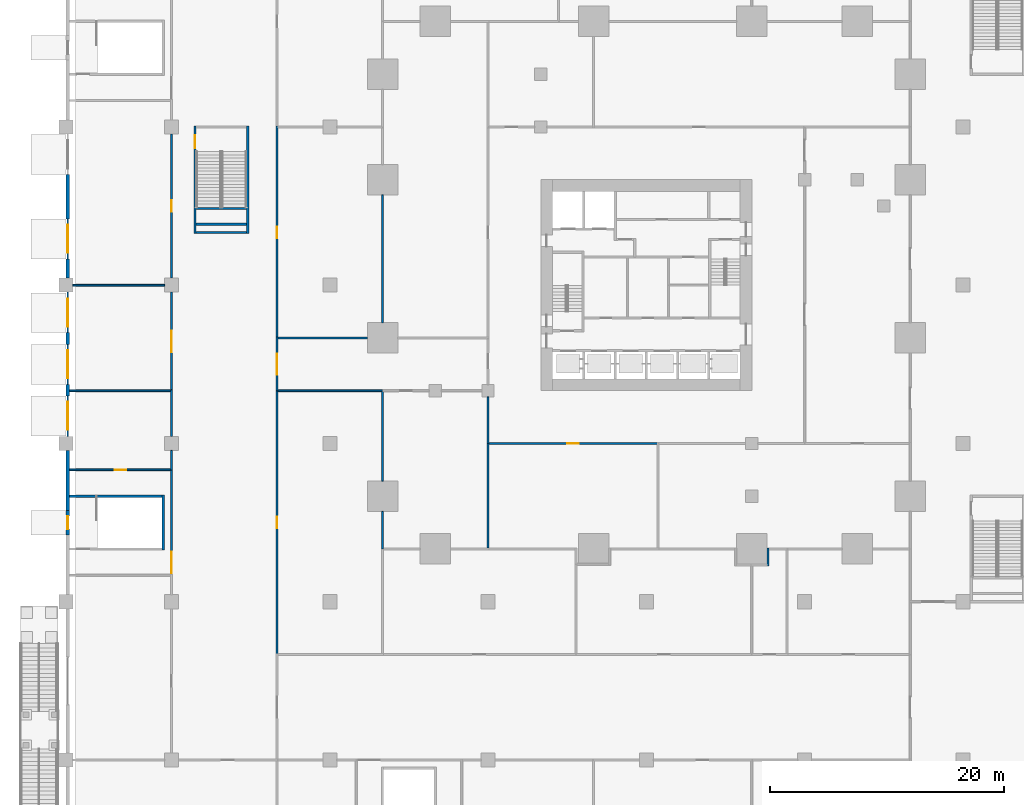
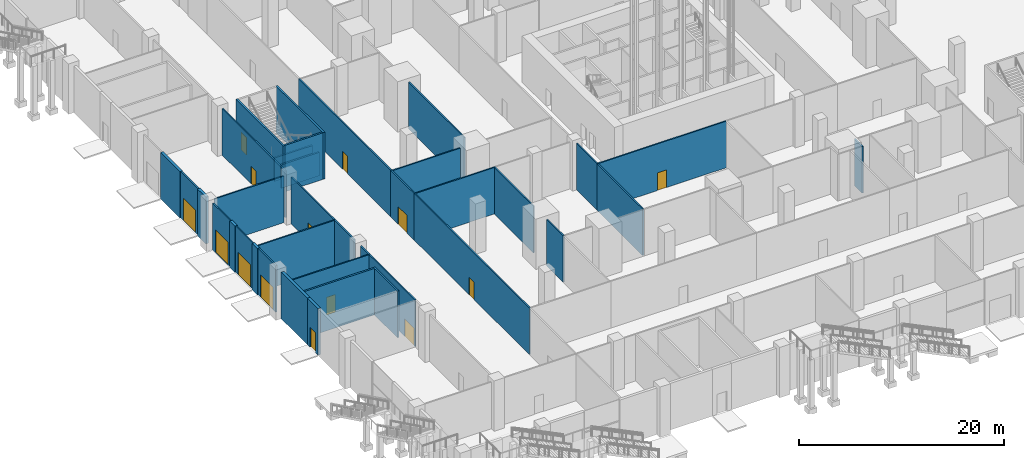
# One storey, part 24 of 68: 37 walls, 14 doors, 14 openings.
"""IFC4 building model written with IfcOpenShell, lengths in metres."""

from ifc_helpers import new_model, si_unit, direction, frame, frame_2d, origin, place, context, subcontext, project, spatial, rectangle, extrude, material, layer, layer_set, type_object, element, fill, save


model = new_model("IFC4")

# Units and contexts
model_context = context("Model", 3, precision=1e-05, world=origin(), true_north=direction((0.0, 1.0)))
body_context = subcontext(model_context, "Body", "Model", "MODEL_VIEW")
ifc_project = project(units=[si_unit("LENGTHUNIT", "METRE"), si_unit("AREAUNIT", "SQUARE_METRE"), si_unit("VOLUMEUNIT", "CUBIC_METRE"), si_unit("PLANEANGLEUNIT", "RADIAN"), si_unit("MASSUNIT", "GRAM", prefix="KILO")], contexts=[model_context])

# Site, building, storey
site_placement = place(None, origin())
site = spatial("IfcSite", under=ifc_project, at=site_placement, CompositionType="ELEMENT")
building_placement = place(site_placement, origin())
building = spatial("IfcBuilding", under=site, at=building_placement, Name="Altepetl Exchange Towers", CompositionType="ELEMENT")
storey_placement = place(building_placement, origin())
storey = spatial("IfcBuildingStorey", under=building, at=storey_placement, Name="L00 Ground concourse", CompositionType="ELEMENT", Elevation=0.0)

# Wall, opening, door
ifc_material_1 = material(Name="Aluminium composite cladding", Category="aluminium")
ifc_layer_1 = layer(ifc_material_1, 0.14990234375)
ifc_layer_set_1 = layer_set([ifc_layer_1], Name="Aluminium composite cladding")
wall_type_1 = type_object("IfcWallType", Name="Infill wall 150 aluminium panel", PredefinedType="SOLIDWALL", material=ifc_layer_set_1)
wall_1_placement = place(storey_placement, frame((0.14990234375, 55.14990234375, 0.0), z_axis=(0.0, 0.0, 1.0), x_axis=(0.0, -1.0, 0.0)))
wall_1 = element("IfcWall", 1, at=wall_1_placement, inside=storey, type_object=wall_type_1, Name="Door bay wall", PredefinedType="SOLIDWALL", context=body_context, shape_type="SweptSolid", body=[
    extrude(rectangle(XDim=3.39990234375, YDim=0.14990234375, at=frame_2d((1.699951171875, 0.0))), origin(), (0.0, 0.0, 1.0), 5.550048828125),
])
opening_1_placement = place(wall_1_placement, frame((0.5, 0.0, 0.0)))
opening_1 = element("IfcOpeningElement", 2, at=opening_1_placement, cuts=wall_1, Name="Opening L00.E26", PredefinedType="OPENING", context=body_context, shape_type="SweptSolid", body=[
    extrude(rectangle(XDim=2.39990234375, YDim=2.699951171875, at=frame_2d((1.199951171875, 1.35009765625))), frame((0.0, 0.0849609375, 0.0), z_axis=(0.0, -1.0, 0.0), x_axis=(1.0, 0.0, 0.0)), (0.0, 0.0, 1.0), 0.169921875),
])
ifc_material_2 = material(Name="Aluminium 6063-T6 and glass", Category="aluminium")
door_type_1 = type_object("IfcDoorType", Name="Entrance door pair 2400x2700 pedestrian", OperationType="DOUBLE_DOOR_DOUBLE_SWING", PredefinedType="NOTDEFINED", material=ifc_material_2)
door_1_placement = place(opening_1_placement, frame((2.39990234375, 0.0, 0.0), x_axis=(-1.0, 0.0, 0.0)))
door_1 = element("IfcDoor", 3, at=door_1_placement, inside=storey, type_object=door_type_1, Name="Entrance door", OperationType="DOUBLE_DOOR_DOUBLE_SWING", OverallHeight=2.699951171875, OverallWidth=2.39990234375, PredefinedType="NOTDEFINED", context=body_context, shape_type="SweptSolid", body=[
    extrude(rectangle(XDim=2.39990234375, YDim=2.699951171875, at=frame_2d((1.199951171875, 1.35009765625))), frame((0.0, 0.02490234375, 0.0), z_axis=(0.0, -1.0, 0.0), x_axis=(1.0, 0.0, 0.0)), (0.0, 0.0, 1.0), 0.050048828125),
])
fill(opening_1, door_1)

wall_2_placement = place(storey_placement, frame((0.14990234375, 48.89990234375, 0.0), z_axis=(0.0, 0.0, 1.0), x_axis=(0.0, -1.0, 0.0)))
wall_2 = element("IfcWall", 4, at=wall_2_placement, inside=storey, type_object=wall_type_1, Name="Door bay wall", PredefinedType="SOLIDWALL", context=body_context, shape_type="SweptSolid", body=[
    extrude(rectangle(XDim=3.449951171875, YDim=0.14990234375, at=frame_2d((1.72509765625, 0.0))), origin(), (0.0, 0.0, 1.0), 5.550048828125),
])
opening_2_placement = place(wall_2_placement, frame((0.550048828125, 0.0, 0.0)))
opening_2 = element("IfcOpeningElement", 5, at=opening_2_placement, cuts=wall_2, Name="Opening L00.E25", PredefinedType="OPENING", context=body_context, shape_type="SweptSolid", body=[
    extrude(rectangle(XDim=2.39990234375, YDim=2.699951171875, at=frame_2d((1.199951171875, 1.35009765625))), frame((0.0, 0.0849609375, 0.0), z_axis=(0.0, -1.0, 0.0), x_axis=(1.0, 0.0, 0.0)), (0.0, 0.0, 1.0), 0.169921875),
])
door_2_placement = place(opening_2_placement, frame((2.39990234375, 0.0, 0.0), x_axis=(-1.0, 0.0, 0.0)))
door_2 = element("IfcDoor", 6, at=door_2_placement, inside=storey, type_object=door_type_1, Name="Entrance door", OperationType="DOUBLE_DOOR_DOUBLE_SWING", OverallHeight=2.699951171875, OverallWidth=2.39990234375, PredefinedType="NOTDEFINED", context=body_context, shape_type="SweptSolid", body=[
    extrude(rectangle(XDim=2.39990234375, YDim=2.699951171875, at=frame_2d((1.199951171875, 1.35009765625))), frame((0.0, 0.02490234375, 0.0), z_axis=(0.0, -1.0, 0.0), x_axis=(1.0, 0.0, 0.0)), (0.0, 0.0, 1.0), 0.050048828125),
])
fill(opening_2, door_2)

wall_3_placement = place(storey_placement, frame((0.14990234375, 44.449951171875, 0.0), z_axis=(0.0, 0.0, 1.0), x_axis=(0.0, -1.0, 0.0)))
wall_3 = element("IfcWall", 7, at=wall_3_placement, inside=storey, type_object=wall_type_1, Name="Door bay wall", PredefinedType="SOLIDWALL", context=body_context, shape_type="SweptSolid", body=[
    extrude(rectangle(XDim=3.39990234375, YDim=0.14990234375, at=frame_2d((1.699951171875, 0.0))), origin(), (0.0, 0.0, 1.0), 5.550048828125),
])
opening_3_placement = place(wall_3_placement, frame((0.5, 0.0, 0.0)))
opening_3 = element("IfcOpeningElement", 8, at=opening_3_placement, cuts=wall_3, Name="Opening L00.E24", PredefinedType="OPENING", context=body_context, shape_type="SweptSolid", body=[
    extrude(rectangle(XDim=2.39990234375, YDim=2.699951171875, at=frame_2d((1.199951171875, 1.35009765625))), frame((0.0, 0.0849609375, 0.0), z_axis=(0.0, -1.0, 0.0), x_axis=(1.0, 0.0, 0.0)), (0.0, 0.0, 1.0), 0.169921875),
])
door_3_placement = place(opening_3_placement, frame((2.39990234375, 0.0, 0.0), x_axis=(-1.0, 0.0, 0.0)))
door_3 = element("IfcDoor", 9, at=door_3_placement, inside=storey, type_object=door_type_1, Name="Entrance door", OperationType="DOUBLE_DOOR_DOUBLE_SWING", OverallHeight=2.699951171875, OverallWidth=2.39990234375, PredefinedType="NOTDEFINED", context=body_context, shape_type="SweptSolid", body=[
    extrude(rectangle(XDim=2.39990234375, YDim=2.699951171875, at=frame_2d((1.199951171875, 1.35009765625))), frame((0.0, 0.02490234375, 0.0), z_axis=(0.0, -1.0, 0.0), x_axis=(1.0, 0.0, 0.0)), (0.0, 0.0, 1.0), 0.050048828125),
])
fill(opening_3, door_3)

wall_4_placement = place(storey_placement, frame((0.14990234375, 40.050048828125, 0.0), z_axis=(0.0, 0.0, 1.0), x_axis=(0.0, -1.0, 0.0)))
wall_4 = element("IfcWall", 10, at=wall_4_placement, inside=storey, type_object=wall_type_1, Name="Door bay wall", PredefinedType="SOLIDWALL", context=body_context, shape_type="SweptSolid", body=[
    extrude(rectangle(XDim=3.449951171875, YDim=0.14990234375, at=frame_2d((1.72509765625, 0.0))), origin(), (0.0, 0.0, 1.0), 5.550048828125),
])
opening_4_placement = place(wall_4_placement, frame((0.5, 0.0, 0.0)))
opening_4 = element("IfcOpeningElement", 11, at=opening_4_placement, cuts=wall_4, Name="Opening L00.E23", PredefinedType="OPENING", context=body_context, shape_type="SweptSolid", body=[
    extrude(rectangle(XDim=2.39990234375, YDim=2.699951171875, at=frame_2d((1.199951171875, 1.35009765625))), frame((0.0, 0.0849609375, 0.0), z_axis=(0.0, -1.0, 0.0), x_axis=(1.0, 0.0, 0.0)), (0.0, 0.0, 1.0), 0.169921875),
])
door_4_placement = place(opening_4_placement, frame((2.39990234375, 0.0, 0.0), x_axis=(-1.0, 0.0, 0.0)))
door_4 = element("IfcDoor", 12, at=door_4_placement, inside=storey, type_object=door_type_1, Name="Entrance door", OperationType="DOUBLE_DOOR_DOUBLE_SWING", OverallHeight=2.699951171875, OverallWidth=2.39990234375, PredefinedType="NOTDEFINED", context=body_context, shape_type="SweptSolid", body=[
    extrude(rectangle(XDim=2.39990234375, YDim=2.699951171875, at=frame_2d((1.199951171875, 1.35009765625))), frame((0.0, 0.02490234375, 0.0), z_axis=(0.0, -1.0, 0.0), x_axis=(1.0, 0.0, 0.0)), (0.0, 0.0, 1.0), 0.050048828125),
])
fill(opening_4, door_4)

# Walls
ifc_material_3 = material(Name="Reinforced concrete C35/45", Category="concrete")
ifc_layer_2 = layer(ifc_material_3, 0.199951171875)
ifc_layer_set_2 = layer_set([ifc_layer_2], Name="Reinforced concrete C35/45")
wall_type_2 = type_object("IfcWallType", Name="Landing support wall 200", PredefinedType="SOLIDWALL", material=ifc_layer_set_2)
for number, where, z_axis, x_axis, name in (
    (13, (15.39990234375, 56.0400390625, 0.0), (0.0, 0.0, 1.0), (-1.0, 0.0, 0.0), "wall:P:L00:PZ1sup0"),
    (14, (15.39990234375, 54.699951171875, 0.0), (0.0, 0.0, 1.0), (-1.0, 0.0, 0.0), "wall:P:L00:PZ1sup1"),
):
    element("IfcWall", number, at=place(storey_placement, frame(where, z_axis=z_axis, x_axis=x_axis)), inside=storey, type_object=wall_type_2, Name=name, PredefinedType="SOLIDWALL", context=body_context, shape_type="SweptSolid", body=[
        extrude(rectangle(XDim=4.2998046875, YDim=0.199951171875, at=frame_2d((2.14990234375, 0.0))), origin(), (0.0, 0.0, 1.0), 2.800048828125),
    ])

# Wall, opening, door
ifc_material_4 = material(Name="Gypsum board on steel studs", Category="steel")
ifc_layer_3 = layer(ifc_material_4, 0.14990234375)
ifc_layer_set_3 = layer_set([ifc_layer_3], Name="Gypsum board on steel studs")
wall_type_3 = type_object("IfcWallType", Name="Podium partition 150", PredefinedType="PARTITIONING", material=ifc_layer_set_3)
wall_5_placement = place(storey_placement, frame((9.0, 24.75, 0.0), z_axis=(0.0, 0.0, 1.0), x_axis=(0.0, 1.0, 0.0)))
wall_5 = element("IfcWall", 15, at=wall_5_placement, inside=storey, type_object=wall_type_3, Name="wall:P:L00:P070", PredefinedType="PARTITIONING", context=body_context, shape_type="SweptSolid", body=[
    extrude(rectangle(XDim=9.074951171875, YDim=0.14990234375, at=frame_2d((4.53759765625, 0.0))), origin(), (0.0, 0.0, 1.0), 5.550048828125),
])
opening_5_placement = place(wall_5_placement, frame((0.199951171875, 0.0, 0.0)))
opening_5 = element("IfcOpeningElement", 16, at=opening_5_placement, cuts=wall_5, Name="Opening L00.P079", PredefinedType="OPENING", context=body_context, shape_type="SweptSolid", body=[
    extrude(rectangle(XDim=1.800048828125, YDim=2.10009765625, at=frame_2d((0.89990234375, 1.050048828125))), frame((0.0, 0.0849609375, 0.0), z_axis=(0.0, -1.0, 0.0), x_axis=(1.0, 0.0, 0.0)), (0.0, 0.0, 1.0), 0.169921875),
])
ifc_material_5 = material(Name="Glazed aluminium and steel", Category="steel")
door_type_2 = type_object("IfcDoorType", Name="Podium fire door 1800 x 2100 double leaf", OperationType="DOUBLE_DOOR_SINGLE_SWING", PredefinedType="DOOR", material=ifc_material_5)
door_5_placement = place(opening_5_placement, origin())
door_5 = element("IfcDoor", 17, at=door_5_placement, inside=storey, type_object=door_type_2, Name="door:P:L00:079", OperationType="DOUBLE_DOOR_SINGLE_SWING", OverallHeight=2.10009765625, OverallWidth=1.800048828125, PredefinedType="DOOR", context=body_context, shape_type="SweptSolid", body=[
    extrude(rectangle(XDim=1.800048828125, YDim=2.10009765625, at=frame_2d((0.89990234375, 1.050048828125))), frame((0.0, 0.02490234375, 0.0), z_axis=(0.0, -1.0, 0.0), x_axis=(1.0, 0.0, 0.0)), (0.0, 0.0, 1.0), 0.050048828125),
])
fill(opening_5, door_5)

# Walls
wall_6_placement = place(storey_placement, frame((9.0, 33.75, 0.0), z_axis=(0.0, 0.0, 1.0), x_axis=(0.0, 1.0, 0.0)))
element("IfcWall", 18, at=wall_6_placement, inside=storey, type_object=wall_type_3, Name="wall:P:L00:P071", PredefinedType="PARTITIONING", context=body_context, shape_type="SweptSolid", body=[
    extrude(rectangle(XDim=1.655029296875, YDim=0.14990234375, at=frame_2d((0.82763671875, 0.0))), origin(), (0.0, 0.0, 1.0), 5.550048828125),
])
wall_7_placement = place(storey_placement, frame((9.0, 36.594970703125, 0.0), z_axis=(0.0, 0.0, 1.0), x_axis=(0.0, 1.0, 0.0)))
element("IfcWall", 19, at=wall_7_placement, inside=storey, type_object=wall_type_3, Name="wall:P:L00:P072", PredefinedType="PARTITIONING", context=body_context, shape_type="SweptSolid", body=[
    extrude(rectangle(XDim=3.97998046875, YDim=0.14990234375, at=frame_2d((1.989990234375, 0.0))), origin(), (0.0, 0.0, 1.0), 5.550048828125),
])

# Wall, opening, door
wall_8_placement = place(storey_placement, frame((9.0, 40.5, 0.0), z_axis=(0.0, 0.0, 1.0), x_axis=(0.0, 1.0, 0.0)))
wall_8 = element("IfcWall", 20, at=wall_8_placement, inside=storey, type_object=wall_type_3, Name="wall:P:L00:P073", PredefinedType="PARTITIONING", context=body_context, shape_type="SweptSolid", body=[
    extrude(rectangle(XDim=8.405029296875, YDim=0.14990234375, at=frame_2d((4.20263671875, 0.0))), origin(), (0.0, 0.0, 1.0), 5.550048828125),
])
opening_6_placement = place(wall_8_placement, frame((3.300048828125, 0.0, 0.0)))
opening_6 = element("IfcOpeningElement", 21, at=opening_6_placement, cuts=wall_8, Name="Opening L00.P080", PredefinedType="OPENING", context=body_context, shape_type="SweptSolid", body=[
    extrude(rectangle(XDim=1.800048828125, YDim=2.10009765625, at=frame_2d((0.89990234375, 1.050048828125))), frame((0.0, 0.0849609375, 0.0), z_axis=(0.0, -1.0, 0.0), x_axis=(1.0, 0.0, 0.0)), (0.0, 0.0, 1.0), 0.169921875),
])
door_6_placement = place(opening_6_placement, origin())
door_6 = element("IfcDoor", 22, at=door_6_placement, inside=storey, type_object=door_type_2, Name="door:P:L00:080", OperationType="DOUBLE_DOOR_SINGLE_SWING", OverallHeight=2.10009765625, OverallWidth=1.800048828125, PredefinedType="DOOR", context=body_context, shape_type="SweptSolid", body=[
    extrude(rectangle(XDim=1.800048828125, YDim=2.10009765625, at=frame_2d((0.89990234375, 1.050048828125))), frame((0.0, 0.02490234375, 0.0), z_axis=(0.0, -1.0, 0.0), x_axis=(1.0, 0.0, 0.0)), (0.0, 0.0, 1.0), 0.050048828125),
])
fill(opening_6, door_6)

wall_9_placement = place(storey_placement, frame((9.0, 50.094970703125, 0.0), z_axis=(0.0, 0.0, 1.0), x_axis=(0.0, 1.0, 0.0)))
wall_9 = element("IfcWall", 23, at=wall_9_placement, inside=storey, type_object=wall_type_3, Name="wall:P:L00:P074", PredefinedType="PARTITIONING", context=body_context, shape_type="SweptSolid", body=[
    extrude(rectangle(XDim=12.31005859375, YDim=0.14990234375, at=frame_2d((6.155029296875, 0.0))), origin(), (0.0, 0.0, 1.0), 5.550048828125),
])
opening_7_placement = place(wall_9_placement, frame((5.64990234375, 0.0, 0.0)))
opening_7 = element("IfcOpeningElement", 24, at=opening_7_placement, cuts=wall_9, Name="Opening L00.P008", PredefinedType="OPENING", context=body_context, shape_type="SweptSolid", body=[
    extrude(rectangle(XDim=1.0, YDim=2.10009765625, at=frame_2d((0.5, 1.050048828125))), frame((0.0, 0.0849609375, 0.0), z_axis=(0.0, -1.0, 0.0), x_axis=(1.0, 0.0, 0.0)), (0.0, 0.0, 1.0), 0.169921875),
])
ifc_material_6 = material(Name="Steel and timber fire door", Category="steel")
door_type_3 = type_object("IfcDoorType", Name="Podium fire door 1000 x 2100 single leaf", OperationType="SINGLE_SWING_LEFT", PredefinedType="DOOR", material=ifc_material_6)
door_7_placement = place(opening_7_placement, origin())
door_7 = element("IfcDoor", 25, at=door_7_placement, inside=storey, type_object=door_type_3, Name="door:P:L00:008", OperationType="SINGLE_SWING_RIGHT", OverallHeight=2.10009765625, OverallWidth=1.0, PredefinedType="DOOR", context=body_context, shape_type="SweptSolid", body=[
    extrude(rectangle(XDim=1.0, YDim=2.10009765625, at=frame_2d((0.5, 1.050048828125))), frame((0.0, 0.02490234375, 0.0), z_axis=(0.0, -1.0, 0.0), x_axis=(1.0, 0.0, 0.0)), (0.0, 0.0, 1.0), 0.050048828125),
])
fill(opening_7, door_7)

wall_10_placement = place(storey_placement, frame((18.0, 18.0, 0.0), z_axis=(0.0, 0.0, 1.0), x_axis=(0.0, 1.0, 0.0)))
wall_10 = element("IfcWall", 26, at=wall_10_placement, inside=storey, type_object=wall_type_3, Name="wall:P:L00:P080", PredefinedType="PARTITIONING", context=body_context, shape_type="SweptSolid", body=[
    extrude(rectangle(XDim=22.574951171875, YDim=0.14990234375, at=frame_2d((11.28759765625, 0.0))), origin(), (0.0, 0.0, 1.0), 5.550048828125),
])
opening_8_placement = place(wall_10_placement, frame((10.75, 0.0, 0.0)))
opening_8 = element("IfcOpeningElement", 27, at=opening_8_placement, cuts=wall_10, Name="Opening L00.P014", PredefinedType="OPENING", context=body_context, shape_type="SweptSolid", body=[
    extrude(rectangle(XDim=1.0, YDim=2.10009765625, at=frame_2d((0.5, 1.050048828125))), frame((0.0, 0.0849609375, 0.0), z_axis=(0.0, -1.0, 0.0), x_axis=(1.0, 0.0, 0.0)), (0.0, 0.0, 1.0), 0.169921875),
])
door_8_placement = place(opening_8_placement, frame((1.0, 0.0, 0.0), x_axis=(-1.0, 0.0, 0.0)))
door_8 = element("IfcDoor", 28, at=door_8_placement, inside=storey, type_object=door_type_3, Name="door:P:L00:014", OperationType="SINGLE_SWING_RIGHT", OverallHeight=2.10009765625, OverallWidth=1.0, PredefinedType="DOOR", context=body_context, shape_type="SweptSolid", body=[
    extrude(rectangle(XDim=1.0, YDim=2.10009765625, at=frame_2d((0.5, 1.050048828125))), frame((0.0, 0.02490234375, 0.0), z_axis=(0.0, -1.0, 0.0), x_axis=(1.0, 0.0, 0.0)), (0.0, 0.0, 1.0), 0.050048828125),
])
fill(opening_8, door_8)

wall_11_placement = place(storey_placement, frame((18.0, 40.5, 0.0), z_axis=(0.0, 0.0, 1.0), x_axis=(0.0, 1.0, 0.0)))
wall_11 = element("IfcWall", 29, at=wall_11_placement, inside=storey, type_object=wall_type_3, Name="wall:P:L00:P081", PredefinedType="PARTITIONING", context=body_context, shape_type="SweptSolid", body=[
    extrude(rectangle(XDim=4.574951171875, YDim=0.14990234375, at=frame_2d((2.28759765625, 0.0))), origin(), (0.0, 0.0, 1.0), 5.550048828125),
])
opening_9_placement = place(wall_11_placement, frame((1.35009765625, 0.0, 0.0)))
opening_9 = element("IfcOpeningElement", 30, at=opening_9_placement, cuts=wall_11, Name="Opening L00.P082", PredefinedType="OPENING", context=body_context, shape_type="SweptSolid", body=[
    extrude(rectangle(XDim=1.800048828125, YDim=2.10009765625, at=frame_2d((0.89990234375, 1.050048828125))), frame((0.0, 0.0849609375, 0.0), z_axis=(0.0, -1.0, 0.0), x_axis=(1.0, 0.0, 0.0)), (0.0, 0.0, 1.0), 0.169921875),
])
door_9_placement = place(opening_9_placement, frame((1.800048828125, 0.0, 0.0), x_axis=(-1.0, 0.0, 0.0)))
door_9 = element("IfcDoor", 31, at=door_9_placement, inside=storey, type_object=door_type_2, Name="door:P:L00:082", OperationType="DOUBLE_DOOR_SINGLE_SWING", OverallHeight=2.10009765625, OverallWidth=1.800048828125, PredefinedType="DOOR", context=body_context, shape_type="SweptSolid", body=[
    extrude(rectangle(XDim=1.800048828125, YDim=2.10009765625, at=frame_2d((0.89990234375, 1.050048828125))), frame((0.0, 0.02490234375, 0.0), z_axis=(0.0, -1.0, 0.0), x_axis=(1.0, 0.0, 0.0)), (0.0, 0.0, 1.0), 0.050048828125),
])
fill(opening_9, door_9)

wall_12_placement = place(storey_placement, frame((18.0, 45.0, 0.0), z_axis=(0.0, 0.0, 1.0), x_axis=(0.0, 1.0, 0.0)))
wall_12 = element("IfcWall", 32, at=wall_12_placement, inside=storey, type_object=wall_type_3, Name="wall:P:L00:P082", PredefinedType="PARTITIONING", context=body_context, shape_type="SweptSolid", body=[
    extrude(rectangle(XDim=18.074951171875, YDim=0.14990234375, at=frame_2d((9.03759765625, 0.0))), origin(), (0.0, 0.0, 1.0), 5.550048828125),
])
opening_10_placement = place(wall_12_placement, frame((8.5, 0.0, 0.0)))
opening_10 = element("IfcOpeningElement", 33, at=opening_10_placement, cuts=wall_12, Name="Opening L00.P015", PredefinedType="OPENING", context=body_context, shape_type="SweptSolid", body=[
    extrude(rectangle(XDim=1.0, YDim=2.10009765625, at=frame_2d((0.5, 1.050048828125))), frame((0.0, 0.0849609375, 0.0), z_axis=(0.0, -1.0, 0.0), x_axis=(1.0, 0.0, 0.0)), (0.0, 0.0, 1.0), 0.169921875),
])
door_10_placement = place(opening_10_placement, frame((1.0, 0.0, 0.0), x_axis=(-1.0, 0.0, 0.0)))
door_10 = element("IfcDoor", 34, at=door_10_placement, inside=storey, type_object=door_type_3, Name="door:P:L00:015", OperationType="SINGLE_SWING_LEFT", OverallHeight=2.10009765625, OverallWidth=1.0, PredefinedType="DOOR", context=body_context, shape_type="SweptSolid", body=[
    extrude(rectangle(XDim=1.0, YDim=2.10009765625, at=frame_2d((0.5, 1.050048828125))), frame((0.0, 0.02490234375, 0.0), z_axis=(0.0, -1.0, 0.0), x_axis=(1.0, 0.0, 0.0)), (0.0, 0.0, 1.0), 0.050048828125),
])
fill(opening_10, door_10)

wall_13_placement = place(storey_placement, frame((0.300048828125, 33.75, 0.0)))
wall_13 = element("IfcWall", 35, at=wall_13_placement, inside=storey, type_object=wall_type_3, Name="wall:P:L00:P101", PredefinedType="PARTITIONING", context=body_context, shape_type="SweptSolid", body=[
    extrude(rectangle(XDim=8.625, YDim=0.14990234375, at=frame_2d((4.3125, 0.0))), origin(), (0.0, 0.0, 1.0), 5.550048828125),
])
opening_11_placement = place(wall_13_placement, frame((3.85009765625, 0.0, 0.0)))
opening_11 = element("IfcOpeningElement", 36, at=opening_11_placement, cuts=wall_13, Name="Opening L00.P007", PredefinedType="OPENING", context=body_context, shape_type="SweptSolid", body=[
    extrude(rectangle(XDim=1.0, YDim=2.10009765625, at=frame_2d((0.5, 1.050048828125))), frame((0.0, 0.0849609375, 0.0), z_axis=(0.0, -1.0, 0.0), x_axis=(1.0, 0.0, 0.0)), (0.0, 0.0, 1.0), 0.169921875),
])
door_11_placement = place(opening_11_placement, origin())
door_11 = element("IfcDoor", 37, at=door_11_placement, inside=storey, type_object=door_type_3, Name="door:P:L00:007", OperationType="SINGLE_SWING_RIGHT", OverallHeight=2.10009765625, OverallWidth=1.0, PredefinedType="DOOR", context=body_context, shape_type="SweptSolid", body=[
    extrude(rectangle(XDim=1.0, YDim=2.10009765625, at=frame_2d((0.5, 1.050048828125))), frame((0.0, 0.02490234375, 0.0), z_axis=(0.0, -1.0, 0.0), x_axis=(1.0, 0.0, 0.0)), (0.0, 0.0, 1.0), 0.050048828125),
])
fill(opening_11, door_11)

# Walls
wall_14_placement = place(storey_placement, frame((0.300048828125, 40.5, 0.0)))
element("IfcWall", 38, at=wall_14_placement, inside=storey, type_object=wall_type_3, Name="wall:P:L00:P105", PredefinedType="PARTITIONING", context=body_context, shape_type="SweptSolid", body=[
    extrude(rectangle(XDim=8.625, YDim=0.14990234375, at=frame_2d((4.3125, 0.0))), origin(), (0.0, 0.0, 1.0), 5.550048828125),
])
wall_15_placement = place(storey_placement, frame((0.594970703125, 49.5, 0.0)))
element("IfcWall", 39, at=wall_15_placement, inside=storey, type_object=wall_type_3, Name="wall:P:L00:P106", PredefinedType="PARTITIONING", context=body_context, shape_type="SweptSolid", body=[
    extrude(rectangle(XDim=7.81005859375, YDim=0.14990234375, at=frame_2d((3.905029296875, 0.0))), origin(), (0.0, 0.0, 1.0), 5.550048828125),
])
wall_16_placement = place(storey_placement, frame((18.074951171875, 40.5, 0.0)))
element("IfcWall", 40, at=wall_16_placement, inside=storey, type_object=wall_type_3, Name="wall:P:L00:P120", PredefinedType="PARTITIONING", context=body_context, shape_type="SweptSolid", body=[
    extrude(rectangle(XDim=9.0, YDim=0.14990234375, at=frame_2d((4.5, 0.0))), origin(), (0.0, 0.0, 1.0), 5.550048828125),
])
wall_17_placement = place(storey_placement, frame((27.0, 27.0, 0.0), z_axis=(0.0, 0.0, 1.0), x_axis=(0.0, 1.0, 0.0)))
element("IfcWall", 41, at=wall_17_placement, inside=storey, type_object=wall_type_3, Name="wall:P:L00:P122", PredefinedType="PARTITIONING", context=body_context, shape_type="SweptSolid", body=[
    extrude(rectangle(XDim=3.205078125, YDim=0.14990234375, at=frame_2d((1.6025390625, 0.0))), origin(), (0.0, 0.0, 1.0), 5.550048828125),
])
wall_18_placement = place(storey_placement, frame((27.0, 32.794921875, 0.0), z_axis=(0.0, 0.0, 1.0), x_axis=(0.0, 1.0, 0.0)))
element("IfcWall", 42, at=wall_18_placement, inside=storey, type_object=wall_type_3, Name="wall:P:L00:P123", PredefinedType="PARTITIONING", context=body_context, shape_type="SweptSolid", body=[
    extrude(rectangle(XDim=7.630126953125, YDim=0.14990234375, at=frame_2d((3.81494140625, 0.0))), origin(), (0.0, 0.0, 1.0), 5.550048828125),
])
wall_19_placement = place(storey_placement, frame((18.074951171875, 45.0, 0.0)))
element("IfcWall", 43, at=wall_19_placement, inside=storey, type_object=wall_type_3, Name="wall:P:L00:P124", PredefinedType="PARTITIONING", context=body_context, shape_type="SweptSolid", body=[
    extrude(rectangle(XDim=7.630126953125, YDim=0.14990234375, at=frame_2d((3.81494140625, 0.0))), origin(), (0.0, 0.0, 1.0), 5.550048828125),
])
wall_20_placement = place(storey_placement, frame((27.0, 46.294921875, 0.0), z_axis=(0.0, 0.0, 1.0), x_axis=(0.0, 1.0, 0.0)))
element("IfcWall", 44, at=wall_20_placement, inside=storey, type_object=wall_type_3, Name="wall:P:L00:P131", PredefinedType="PARTITIONING", context=body_context, shape_type="SweptSolid", body=[
    extrude(rectangle(XDim=10.91015625, YDim=0.14990234375, at=frame_2d((5.455078125, 0.0))), origin(), (0.0, 0.0, 1.0), 5.550048828125),
])
wall_21_placement = place(storey_placement, frame((59.875, 25.550048828125, 0.0), z_axis=(0.0, 0.0, 1.0), x_axis=(0.0, 1.0, 0.0)))
element("IfcWall", 45, at=wall_21_placement, inside=storey, type_object=wall_type_3, Name="wall:P:L00:P149", PredefinedType="PARTITIONING", context=body_context, shape_type="SweptSolid", body=[
    extrude(rectangle(XDim=1.52490234375, YDim=0.14990234375, at=frame_2d((0.762451171875, 0.0))), origin(), (0.0, 0.0, 1.0), 5.550048828125),
])
wall_22_placement = place(storey_placement, frame((36.0, 27.074951171875, 0.0), z_axis=(0.0, 0.0, 1.0), x_axis=(0.0, 1.0, 0.0)))
element("IfcWall", 46, at=wall_22_placement, inside=storey, type_object=wall_type_3, Name="wall:P:L00:P163", PredefinedType="PARTITIONING", context=body_context, shape_type="SweptSolid", body=[
    extrude(rectangle(XDim=9.0, YDim=0.14990234375, at=frame_2d((4.5, 0.0))), origin(), (0.0, 0.0, 1.0), 5.550048828125),
])
wall_23_placement = place(storey_placement, frame((36.0, 36.0, 0.0), z_axis=(0.0, 0.0, 1.0), x_axis=(0.0, 1.0, 0.0)))
element("IfcWall", 47, at=wall_23_placement, inside=storey, type_object=wall_type_3, Name="wall:P:L00:P164", PredefinedType="PARTITIONING", context=body_context, shape_type="SweptSolid", body=[
    extrude(rectangle(XDim=3.97998046875, YDim=0.14990234375, at=frame_2d((1.989990234375, 0.0))), origin(), (0.0, 0.0, 1.0), 5.550048828125),
])

# Wall, opening, door
wall_24_placement = place(storey_placement, frame((36.074951171875, 36.0, 0.0)))
wall_24 = element("IfcWall", 48, at=wall_24_placement, inside=storey, type_object=wall_type_3, Name="wall:P:L00:P168", PredefinedType="PARTITIONING", context=body_context, shape_type="SweptSolid", body=[
    extrude(rectangle(XDim=14.425048828125, YDim=0.14990234375, at=frame_2d((7.21240234375, 0.0))), origin(), (0.0, 0.0, 1.0), 5.550048828125),
])
opening_12_placement = place(wall_24_placement, frame((6.675048828125, 0.0, 0.0)))
opening_12 = element("IfcOpeningElement", 49, at=opening_12_placement, cuts=wall_24, Name="Opening L00.P026", PredefinedType="OPENING", context=body_context, shape_type="SweptSolid", body=[
    extrude(rectangle(XDim=1.0, YDim=2.10009765625, at=frame_2d((0.5, 1.050048828125))), frame((0.0, 0.0849609375, 0.0), z_axis=(0.0, -1.0, 0.0), x_axis=(1.0, 0.0, 0.0)), (0.0, 0.0, 1.0), 0.169921875),
])
door_12_placement = place(opening_12_placement, frame((1.0, 0.0, 0.0), x_axis=(-1.0, 0.0, 0.0)))
door_12 = element("IfcDoor", 50, at=door_12_placement, inside=storey, type_object=door_type_3, Name="door:P:L00:026", OperationType="SINGLE_SWING_RIGHT", OverallHeight=2.10009765625, OverallWidth=1.0, PredefinedType="DOOR", context=body_context, shape_type="SweptSolid", body=[
    extrude(rectangle(XDim=1.0, YDim=2.10009765625, at=frame_2d((0.5, 1.050048828125))), frame((0.0, 0.02490234375, 0.0), z_axis=(0.0, -1.0, 0.0), x_axis=(1.0, 0.0, 0.0)), (0.0, 0.0, 1.0), 0.050048828125),
])
fill(opening_12, door_12)

ifc_layer_4 = layer(ifc_material_3, 0.199951171875)
ifc_layer_set_4 = layer_set([ifc_layer_4], Name="Reinforced concrete C35/45")
wall_type_4 = type_object("IfcWallType", Name="Stair enclosure wall 200", PredefinedType="SOLIDWALL", material=ifc_layer_set_4)
wall_25_placement = place(storey_placement, frame((11.0, 53.89990234375, 0.0), z_axis=(0.0, 0.0, 1.0), x_axis=(0.0, 1.0, 0.0)))
wall_25 = element("IfcWall", 51, at=wall_25_placement, inside=storey, type_object=wall_type_4, Name="wall:P:L00:P084", PredefinedType="SOLIDWALL", context=body_context, shape_type="SweptSolid", body=[
    extrude(rectangle(XDim=9.2001953125, YDim=0.199951171875, at=frame_2d((4.60009765625, 0.0))), origin(), (0.0, 0.0, 1.0), 5.550048828125),
])
opening_13_placement = place(wall_25_placement, frame((7.300048828125, 0.0, 0.0)))
opening_13 = element("IfcOpeningElement", 52, at=opening_13_placement, cuts=wall_25, Name="Opening L00.P063", PredefinedType="OPENING", context=body_context, shape_type="SweptSolid", body=[
    extrude(rectangle(XDim=1.10009765625, YDim=2.10009765625, at=frame_2d((0.550048828125, 1.050048828125))), frame((0.0, 0.10986328125, 0.0), z_axis=(0.0, -1.0, 0.0), x_axis=(1.0, 0.0, 0.0)), (0.0, 0.0, 1.0), 0.219970703125),
])
ifc_material_7 = material(Name="Steel fire door", Category="steel")
door_type_4 = type_object("IfcDoorType", Name="Podium fire door 1100 x 2100 single leaf", OperationType="SINGLE_SWING_LEFT", PredefinedType="DOOR", material=ifc_material_7)
door_13_placement = place(opening_13_placement, origin())
door_13 = element("IfcDoor", 53, at=door_13_placement, inside=storey, type_object=door_type_4, Name="door:P:L00:063", OperationType="SINGLE_SWING_LEFT", OverallHeight=2.10009765625, OverallWidth=1.10009765625, PredefinedType="DOOR", context=body_context, shape_type="SweptSolid", body=[
    extrude(rectangle(XDim=1.10009765625, YDim=2.10009765625, at=frame_2d((0.550048828125, 1.050048828125))), frame((0.0, 0.02490234375, 0.0), z_axis=(0.0, -1.0, 0.0), x_axis=(1.0, 0.0, 0.0)), (0.0, 0.0, 1.0), 0.050048828125),
])
fill(opening_13, door_13)

# Walls
wall_26_placement = place(storey_placement, frame((15.5, 53.89990234375, 0.0), z_axis=(0.0, 0.0, 1.0), x_axis=(0.0, 1.0, 0.0)))
element("IfcWall", 54, at=wall_26_placement, inside=storey, type_object=wall_type_4, Name="wall:P:L00:P085", PredefinedType="SOLIDWALL", context=body_context, shape_type="SweptSolid", body=[
    extrude(rectangle(XDim=9.2001953125, YDim=0.199951171875, at=frame_2d((4.60009765625, 0.0))), origin(), (0.0, 0.0, 1.0), 5.550048828125),
])
wall_27_placement = place(storey_placement, frame((11.10009765625, 54.0, 0.0)))
element("IfcWall", 55, at=wall_27_placement, inside=storey, type_object=wall_type_4, Name="wall:P:L00:P086", PredefinedType="SOLIDWALL", context=body_context, shape_type="SweptSolid", body=[
    extrude(rectangle(XDim=4.2998046875, YDim=0.199951171875, at=frame_2d((2.14990234375, 0.0))), origin(), (0.0, 0.0, 1.0), 5.550048828125),
])
wall_28_placement = place(storey_placement, frame((8.300048828125, 26.89990234375, 0.0), z_axis=(0.0, 0.0, 1.0), x_axis=(0.0, 1.0, 0.0)))
element("IfcWall", 56, at=wall_28_placement, inside=storey, type_object=wall_type_4, Name="wall:P:L00:P102", PredefinedType="SOLIDWALL", context=body_context, shape_type="SweptSolid", body=[
    extrude(rectangle(XDim=4.7001953125, YDim=0.199951171875, at=frame_2d((2.35009765625, 0.0))), origin(), (0.0, 0.0, 1.0), 5.550048828125),
])
wall_29_placement = place(storey_placement, frame((0.300048828125, 31.5, 0.0)))
element("IfcWall", 57, at=wall_29_placement, inside=storey, type_object=wall_type_4, Name="wall:P:L00:P104", PredefinedType="SOLIDWALL", context=body_context, shape_type="SweptSolid", body=[
    extrude(rectangle(XDim=7.89990234375, YDim=0.199951171875, at=frame_2d((3.949951171875, 0.0))), origin(), (0.0, 0.0, 1.0), 5.550048828125),
])
ifc_material_8 = material(Name="Cantera limestone cladding", Category="masonry")
ifc_layer_5 = layer(ifc_material_8, 0.300048828125)
ifc_layer_set_5 = layer_set([ifc_layer_5], Name="Cantera limestone cladding")
wall_type_5 = type_object("IfcWallType", Name="Stone wall panel 300", PredefinedType="ELEMENTEDWALL", material=ifc_layer_set_5)
wall_30_placement = place(storey_placement, frame((0.14990234375, 58.949951171875, 0.0), z_axis=(0.0, 0.0, 1.0), x_axis=(0.0, -1.0, 0.0)))
element("IfcWall", 58, at=wall_30_placement, inside=storey, type_object=wall_type_5, Name="Stone wall panel", PredefinedType="ELEMENTEDWALL", context=body_context, shape_type="SweptSolid", body=[
    extrude(rectangle(XDim=3.800048828125, YDim=0.300048828125, at=frame_2d((1.89990234375, 0.0))), origin(), (0.0, 0.0, 1.0), 5.550048828125),
])
wall_31_placement = place(storey_placement, frame((0.14990234375, 51.75, 0.0), z_axis=(0.0, 0.0, 1.0), x_axis=(0.0, -1.0, 0.0)))
element("IfcWall", 59, at=wall_31_placement, inside=storey, type_object=wall_type_5, Name="Stone wall panel", PredefinedType="ELEMENTEDWALL", context=body_context, shape_type="SweptSolid", body=[
    extrude(rectangle(XDim=1.64990234375, YDim=0.300048828125, at=frame_2d((0.824951171875, 0.0))), origin(), (0.0, 0.0, 1.0), 5.550048828125),
])
for number, where, z_axis, x_axis, name in (
    (60, (0.14990234375, 45.449951171875, 0.0), (0.0, 0.0, 1.0), (0.0, -1.0, 0.0), "Stone wall panel"),
    (61, (0.14990234375, 41.050048828125, 0.0), (0.0, 0.0, 1.0), (0.0, -1.0, 0.0), "Stone wall panel"),
):
    element("IfcWall", number, at=place(storey_placement, frame(where, z_axis=z_axis, x_axis=x_axis)), inside=storey, type_object=wall_type_5, Name=name, PredefinedType="ELEMENTEDWALL", context=body_context, shape_type="SweptSolid", body=[
        extrude(rectangle(XDim=1.0, YDim=0.300048828125, at=frame_2d((0.5, 0.0))), origin(), (0.0, 0.0, 1.0), 5.550048828125),
    ])
wall_32_placement = place(storey_placement, frame((0.14990234375, 35.39990234375, 0.0), z_axis=(0.0, 0.0, 1.0), x_axis=(0.0, -1.0, 0.0)))
element("IfcWall", 62, at=wall_32_placement, inside=storey, type_object=wall_type_5, Name="Stone wall panel", PredefinedType="ELEMENTEDWALL", context=body_context, shape_type="SweptSolid", body=[
    extrude(rectangle(XDim=5.099853515625, YDim=0.300048828125, at=frame_2d((2.5498046875, 0.0))), origin(), (0.0, 0.0, 1.0), 5.550048828125),
])

# Wall, opening, door
wall_33_placement = place(storey_placement, frame((0.14990234375, 30.300048828125, 0.0), z_axis=(0.0, 0.0, 1.0), x_axis=(0.0, -1.0, 0.0)))
wall_33 = element("IfcWall", 63, at=wall_33_placement, inside=storey, type_object=wall_type_5, Name="Stone wall panel", PredefinedType="ELEMENTEDWALL", context=body_context, shape_type="SweptSolid", body=[
    extrude(rectangle(XDim=2.10009765625, YDim=0.300048828125, at=frame_2d((1.050048828125, 0.0))), origin(), (0.0, 0.0, 1.0), 5.550048828125),
])
opening_14_placement = place(wall_33_placement, frame((0.5, 0.0, 0.0)))
opening_14 = element("IfcOpeningElement", 64, at=opening_14_placement, cuts=wall_33, Name="Opening L00.E63", PredefinedType="OPENING", context=body_context, shape_type="SweptSolid", body=[
    extrude(rectangle(XDim=1.10009765625, YDim=2.39990234375, at=frame_2d((0.550048828125, 1.199951171875))), frame((0.0, 0.16015625, 0.0), z_axis=(0.0, -1.0, 0.0), x_axis=(1.0, 0.0, 0.0)), (0.0, 0.0, 1.0), 0.320068359375),
])
ifc_material_9 = material(Name="Steel S275", Category="steel")
door_type_5 = type_object("IfcDoorType", Name="Exit door 1100x2400 pedestrian", OperationType="SINGLE_SWING_LEFT", PredefinedType="NOTDEFINED", material=ifc_material_9)
door_14_placement = place(opening_14_placement, frame((1.10009765625, 0.0, 0.0), x_axis=(-1.0, 0.0, 0.0)))
door_14 = element("IfcDoor", 65, at=door_14_placement, inside=storey, type_object=door_type_5, Name="Exit door", OperationType="SINGLE_SWING_LEFT", OverallHeight=2.39990234375, OverallWidth=1.10009765625, PredefinedType="NOTDEFINED", context=body_context, shape_type="SweptSolid", body=[
    extrude(rectangle(XDim=1.10009765625, YDim=2.39990234375, at=frame_2d((0.550048828125, 1.199951171875))), frame((0.0, 0.02490234375, 0.0), z_axis=(0.0, -1.0, 0.0), x_axis=(1.0, 0.0, 0.0)), (0.0, 0.0, 1.0), 0.050048828125),
])
fill(opening_14, door_14)

save(model, "model.ifc")
